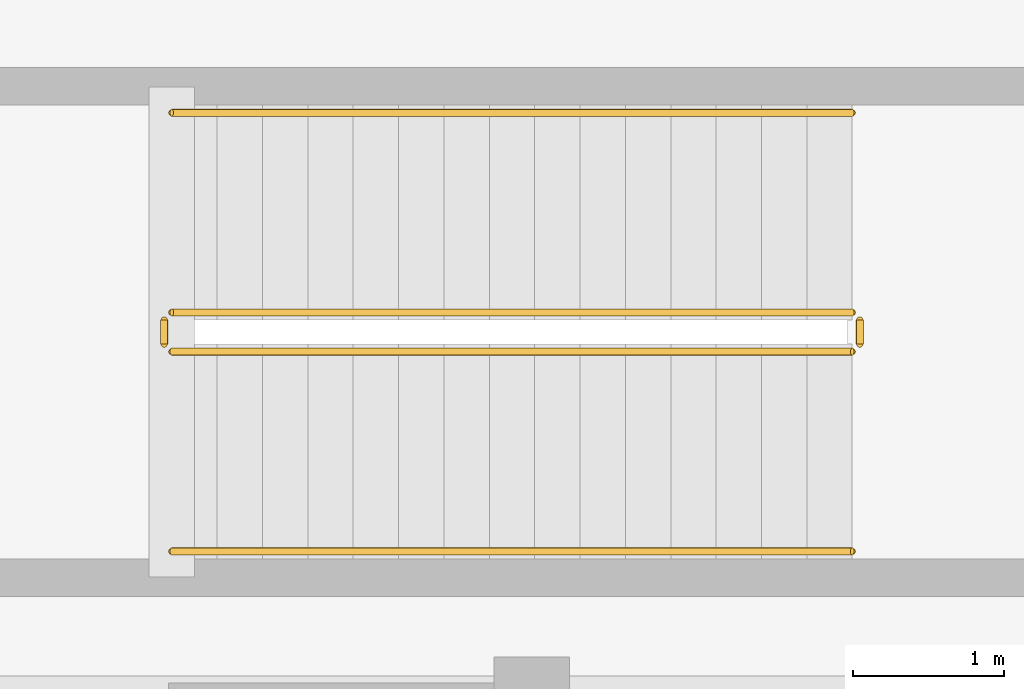
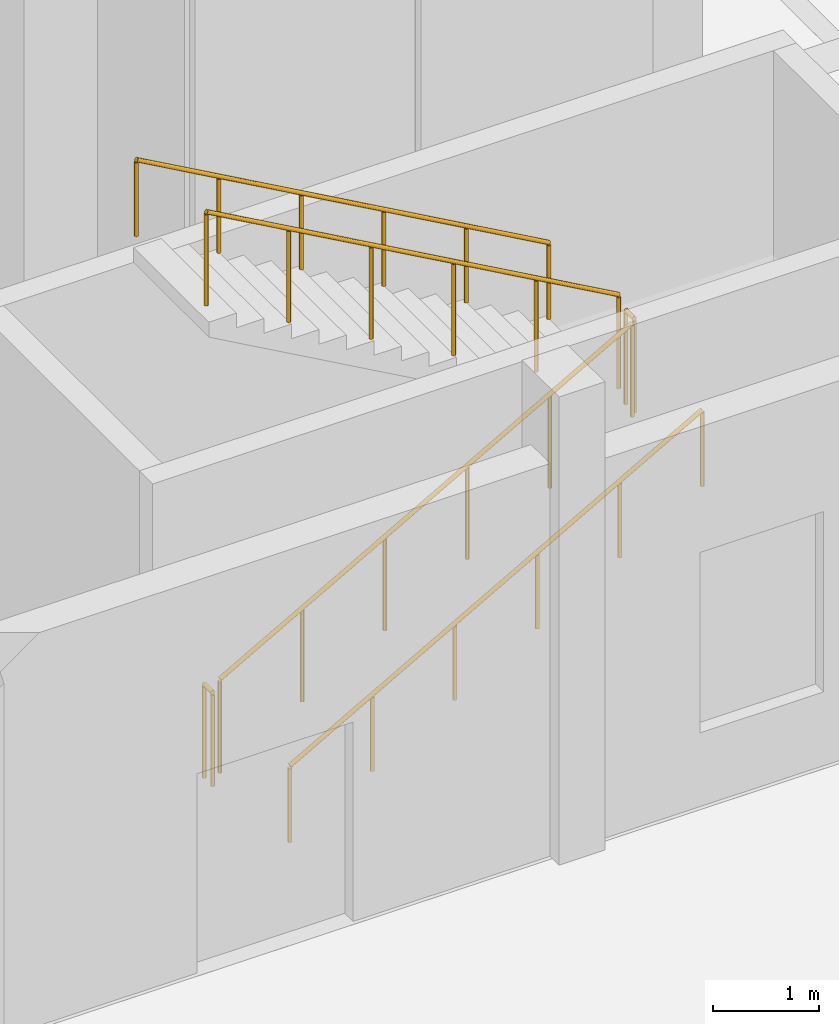
# One storey, part 67 of 72: 6 railings.
"""IFC4 building model written with IfcOpenShell, lengths in metres."""

from ifc_helpers import new_model, si_unit, direction, frame, origin, origin_2d, place, context, subcontext, project, spatial, circle, extrude, material, layer, layer_set, type_object, element, save


model = new_model("IFC4")

# Units and contexts
model_context = context("Model", 3, precision=1e-05, world=origin(), true_north=direction((0.0, 1.0)))
body_context = subcontext(model_context, "Body", "Model", "MODEL_VIEW")
ifc_project = project(units=[si_unit("LENGTHUNIT", "METRE"), si_unit("AREAUNIT", "SQUARE_METRE"), si_unit("VOLUMEUNIT", "CUBIC_METRE"), si_unit("PLANEANGLEUNIT", "RADIAN"), si_unit("MASSUNIT", "GRAM", prefix="KILO")], contexts=[model_context])

# Site, building, storey
site_placement = place(None, origin())
site = spatial("IfcSite", under=ifc_project, at=site_placement, CompositionType="ELEMENT")
building_placement = place(site_placement, origin())
building = spatial("IfcBuilding", under=site, at=building_placement, Name="Dornvale Research Institute", CompositionType="ELEMENT")
storey_placement = place(building_placement, origin())
storey = spatial("IfcBuildingStorey", under=building, at=storey_placement, Name="L00", CompositionType="ELEMENT", Elevation=0.0)

# Railings
ifc_material_1 = material(Name="Galvanized Painted Tubular Steel Stair Rail", Category="steel")
ifc_layer_1 = layer(ifc_material_1, 0.050048828125)
ifc_layer_set_1 = layer_set([ifc_layer_1], Name="Galvanized Painted Tubular Steel Stair Rail")
railing_type_1 = type_object("IfcRailingType", Name="Railing_Stair_Guard_1100", PredefinedType="GUARDRAIL", material=ifc_layer_set_1)
railing_1_placement = place(storey_placement, frame((123.02001953125, 94.77001953125, 0.168701171875)))
element("IfcRailing", 1, at=railing_1_placement, inside=storey, type_object=railing_type_1, Name="L00 ST-3 stair guard 1", PredefinedType="GUARDRAIL", context=body_context, shape_type="SweptSolid", body=[
    extrude(circle(Radius=0.02392578125, at=origin_2d()), frame((0.0, 0.0, 1.076171875), z_axis=(0.871575537125, 0.0, 0.490261239633), x_axis=(0.0, 1.0, 0.0)), (0.0, 0.0, 1.0), 5.1630859375),
    extrude(circle(Radius=0.02099609375, at=origin_2d()), origin(), (0.0, 0.0, 1.0), 1.052001953125),
    extrude(circle(Radius=0.02099609375, at=origin_2d()), frame((0.89990234375, 0.0, 0.50634765625)), (0.0, 0.0, 1.0), 1.052001953125),
    extrude(circle(Radius=0.02099609375, at=origin_2d()), frame((1.800048828125, 0.0, 1.012451171875)), (0.0, 0.0, 1.0), 1.052001953125),
    extrude(circle(Radius=0.02099609375, at=origin_2d()), frame((2.699951171875, 0.0, 1.518798828125)), (0.0, 0.0, 1.0), 1.052001953125),
    extrude(circle(Radius=0.02099609375, at=origin_2d()), frame((3.60009765625, 0.0, 2.02490234375)), (0.0, 0.0, 1.0), 1.052001953125),
    extrude(circle(Radius=0.02099609375, at=origin_2d()), frame((4.5, 0.0, 2.53125)), (0.0, 0.0, 1.0), 1.052001953125),
])
railing_2_placement = place(storey_placement, frame((127.570068359375, 94.820068359375, 2.699951171875)))
element("IfcRailing", 2, at=railing_2_placement, inside=storey, type_object=railing_type_1, Name="L00 ST-3 stair guard 2", PredefinedType="GUARDRAIL", context=body_context, shape_type="SweptSolid", body=[
    extrude(circle(Radius=0.02392578125, at=origin_2d()), frame((0.0, 0.0, 1.076171875), z_axis=(0.0, 1.0, 0.0), x_axis=(-1.0, 0.0, 0.0)), (0.0, 0.0, 1.0), 0.159912109375),
    extrude(circle(Radius=0.02099609375, at=origin_2d()), origin(), (0.0, 0.0, 1.0), 1.052001953125),
    extrude(circle(Radius=0.02099609375, at=origin_2d()), frame((0.0, 0.159912109375, 0.0)), (0.0, 0.0, 1.0), 1.052001953125),
])
railing_3_placement = place(storey_placement, frame((127.52001953125, 95.030029296875, 2.86865234375)))
element("IfcRailing", 3, at=railing_3_placement, inside=storey, type_object=railing_type_1, Name="L00 ST-3 stair guard 3", PredefinedType="GUARDRAIL", context=body_context, shape_type="SweptSolid", body=[
    extrude(circle(Radius=0.02392578125, at=origin_2d()), frame((0.0, 0.0, 1.076171875), z_axis=(-0.871575537125, 0.0, 0.490261239633), x_axis=(0.0, -1.0, 0.0)), (0.0, 0.0, 1.0), 5.1630859375),
    extrude(circle(Radius=0.02099609375, at=origin_2d()), origin(), (0.0, 0.0, 1.0), 1.052001953125),
    extrude(circle(Radius=0.02099609375, at=origin_2d()), frame((-0.89990234375, 0.0, 0.50634765625)), (0.0, 0.0, 1.0), 1.052001953125),
    extrude(circle(Radius=0.02099609375, at=origin_2d()), frame((-1.800048828125, 0.0, 1.012451171875)), (0.0, 0.0, 1.0), 1.052001953125),
    extrude(circle(Radius=0.02099609375, at=origin_2d()), frame((-2.699951171875, 0.0, 1.518798828125)), (0.0, 0.0, 1.0), 1.052001953125),
    extrude(circle(Radius=0.02099609375, at=origin_2d()), frame((-3.60009765625, 0.0, 2.02490234375)), (0.0, 0.0, 1.0), 1.052001953125),
    extrude(circle(Radius=0.02099609375, at=origin_2d()), frame((-4.5, 0.0, 2.53125)), (0.0, 0.0, 1.0), 1.052001953125),
])
railing_4_placement = place(storey_placement, frame((122.969970703125, 94.820068359375, 0.0)))
element("IfcRailing", 4, at=railing_4_placement, inside=storey, type_object=railing_type_1, Name="L00 ST-3 stair guard 4", PredefinedType="GUARDRAIL", context=body_context, shape_type="SweptSolid", body=[
    extrude(circle(Radius=0.02392578125, at=origin_2d()), frame((0.0, 0.0, 1.076171875), z_axis=(0.0, 1.0, 0.0), x_axis=(-1.0, 0.0, 0.0)), (0.0, 0.0, 1.0), 0.159912109375),
    extrude(circle(Radius=0.02099609375, at=origin_2d()), origin(), (0.0, 0.0, 1.0), 1.052001953125),
    extrude(circle(Radius=0.02099609375, at=origin_2d()), frame((0.0, 0.159912109375, 0.0)), (0.0, 0.0, 1.0), 1.052001953125),
])
ifc_material_2 = material(Name="Galvanized Painted Tubular Steel Stair Rail", Category="steel")
ifc_layer_2 = layer(ifc_material_2, 0.044921875)
ifc_layer_set_2 = layer_set([ifc_layer_2], Name="Galvanized Painted Tubular Steel Stair Rail")
railing_type_2 = type_object("IfcRailingType", Name="Railing_Stair_Handrail_900", PredefinedType="HANDRAIL", material=ifc_layer_set_2)
railing_5_placement = place(storey_placement, frame((123.02001953125, 93.449951171875, 0.168701171875)))
element("IfcRailing", 5, at=railing_5_placement, inside=storey, type_object=railing_type_2, Name="L00 ST-3 stair handrail 1", PredefinedType="HANDRAIL", context=body_context, shape_type="SweptSolid", body=[
    extrude(circle(Radius=0.02392578125, at=origin_2d()), frame((0.0, 0.0, 0.8759765625), z_axis=(0.871575537125, 0.0, 0.490261239633), x_axis=(0.0, 1.0, 0.0)), (0.0, 0.0, 1.0), 5.1630859375),
    extrude(circle(Radius=0.02099609375, at=origin_2d()), origin(), (0.0, 0.0, 1.0), 0.851806640625),
    extrude(circle(Radius=0.02099609375, at=origin_2d()), frame((0.89990234375, 0.0, 0.50634765625)), (0.0, 0.0, 1.0), 0.851806640625),
    extrude(circle(Radius=0.02099609375, at=origin_2d()), frame((1.800048828125, 0.0, 1.012451171875)), (0.0, 0.0, 1.0), 0.851806640625),
    extrude(circle(Radius=0.02099609375, at=origin_2d()), frame((2.699951171875, 0.0, 1.518798828125)), (0.0, 0.0, 1.0), 0.851806640625),
    extrude(circle(Radius=0.02099609375, at=origin_2d()), frame((3.60009765625, 0.0, 2.02490234375)), (0.0, 0.0, 1.0), 0.851806640625),
    extrude(circle(Radius=0.02099609375, at=origin_2d()), frame((4.5, 0.0, 2.53125)), (0.0, 0.0, 1.0), 0.851806640625),
])
railing_6_placement = place(storey_placement, frame((127.52001953125, 96.35009765625, 2.86865234375)))
element("IfcRailing", 6, at=railing_6_placement, inside=storey, type_object=railing_type_2, Name="L00 ST-3 stair handrail 2", PredefinedType="HANDRAIL", context=body_context, shape_type="SweptSolid", body=[
    extrude(circle(Radius=0.02392578125, at=origin_2d()), frame((0.0, 0.0, 0.8759765625), z_axis=(-0.871575537125, 0.0, 0.490261239633), x_axis=(0.0, -1.0, 0.0)), (0.0, 0.0, 1.0), 5.1630859375),
    extrude(circle(Radius=0.02099609375, at=origin_2d()), origin(), (0.0, 0.0, 1.0), 0.851806640625),
    extrude(circle(Radius=0.02099609375, at=origin_2d()), frame((-0.89990234375, 0.0, 0.50634765625)), (0.0, 0.0, 1.0), 0.851806640625),
    extrude(circle(Radius=0.02099609375, at=origin_2d()), frame((-1.800048828125, 0.0, 1.012451171875)), (0.0, 0.0, 1.0), 0.851806640625),
    extrude(circle(Radius=0.02099609375, at=origin_2d()), frame((-2.699951171875, 0.0, 1.518798828125)), (0.0, 0.0, 1.0), 0.851806640625),
    extrude(circle(Radius=0.02099609375, at=origin_2d()), frame((-3.60009765625, 0.0, 2.02490234375)), (0.0, 0.0, 1.0), 0.851806640625),
    extrude(circle(Radius=0.02099609375, at=origin_2d()), frame((-4.5, 0.0, 2.53125)), (0.0, 0.0, 1.0), 0.851806640625),
])

save(model, "model.ifc")
